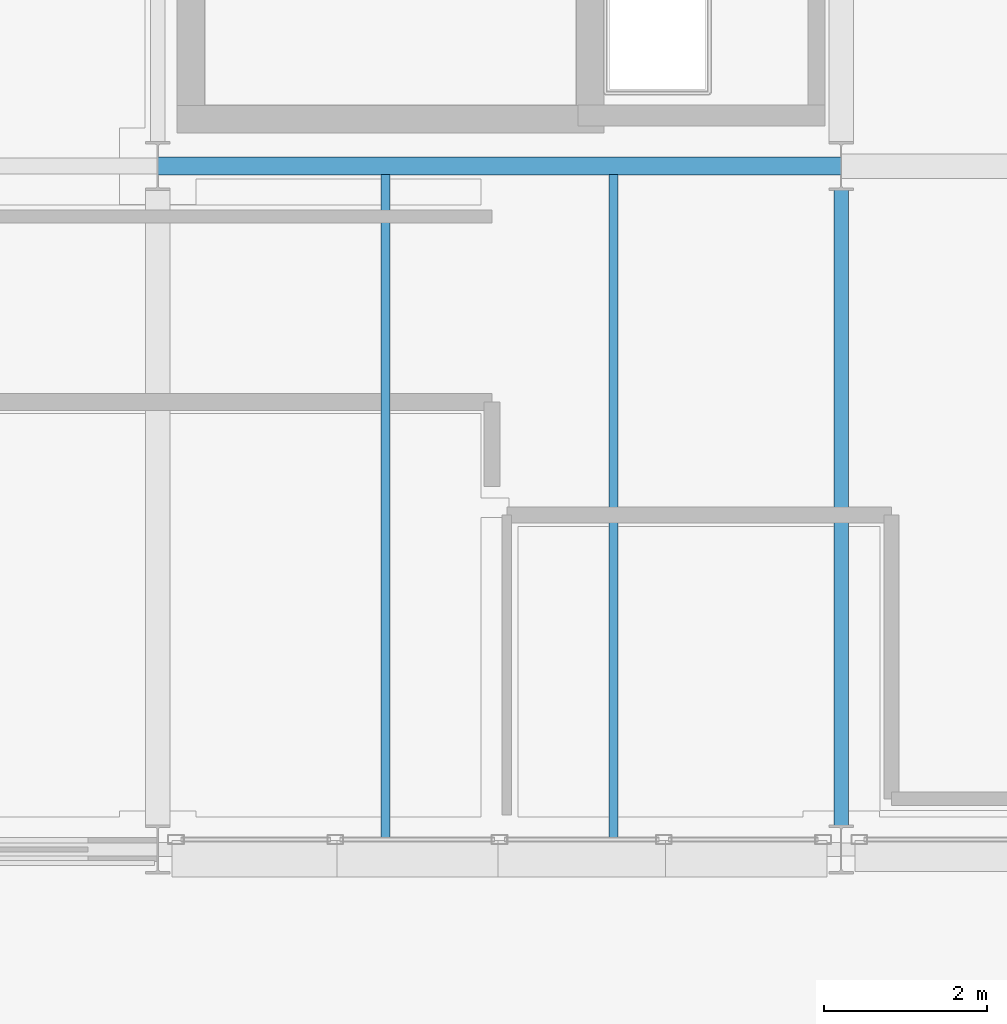
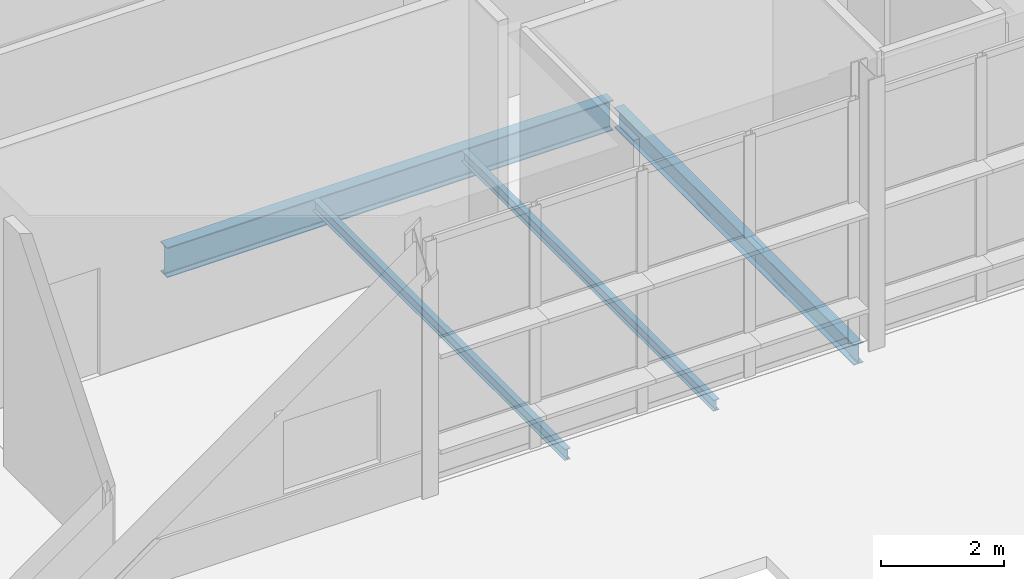
# One storey, part 64 of 124: 4 beams.
"""IFC4 building model written with IfcOpenShell, lengths in metres."""

from ifc_helpers import new_model, si_unit, direction, frame, origin, origin_2d, place, context, subcontext, project, spatial, i_section, extrude, material, material_profile, profile_set, type_object, element, save


model = new_model("IFC4")

# Units and contexts
model_context = context("Model", 3, precision=1e-05, world=origin(), true_north=direction((0.0, 1.0)))
body_context = subcontext(model_context, "Body", "Model", "MODEL_VIEW")
ifc_project = project(units=[si_unit("LENGTHUNIT", "METRE"), si_unit("AREAUNIT", "SQUARE_METRE"), si_unit("VOLUMEUNIT", "CUBIC_METRE"), si_unit("PLANEANGLEUNIT", "RADIAN"), si_unit("MASSUNIT", "GRAM", prefix="KILO")], contexts=[model_context])

# Site, building, storey
site_placement = place(None, origin())
site = spatial("IfcSite", under=ifc_project, at=site_placement, CompositionType="ELEMENT")
building_placement = place(site_placement, origin())
building = spatial("IfcBuilding", under=site, at=building_placement, Name="Mersafa Astral City Hall", CompositionType="ELEMENT")
storey_placement = place(building_placement, origin())
storey = spatial("IfcBuildingStorey", under=building, at=storey_placement, Name="L00", CompositionType="ELEMENT", Elevation=0.0)

# Beams
ifc_material = material(Name="Steel S355", Category="steel")
ifc_material_profile_1 = material_profile(ifc_material, i_section(OverallWidth=0.179931640625, OverallDepth=0.39990234375, WebThickness=0.008544921875, FlangeThickness=0.013427734375, FilletRadius=0.02099609375, at=origin_2d()), Name="IPE 400")
ifc_profile_set_1 = profile_set([ifc_material_profile_1], Name="Steel S355")
beam_type_1 = type_object("IfcBeamType", Name="STR-BM-IPE400", PredefinedType="BEAM", material=ifc_profile_set_1)
beam_1_placement = place(storey_placement, frame((159.60009765625, 101.094970703125, -0.449951171875), z_axis=(0.0, 1.0, 0.0), x_axis=(-1.0, 0.0, 0.0)))
element("IfcBeam", 1, at=beam_1_placement, inside=storey, type_object=beam_type_1, Name="L00 Primary girder Y 19-12", PredefinedType="BEAM", context=body_context, shape_type="SweptSolid", body=[
    extrude(i_section(OverallWidth=0.179931640625, OverallDepth=0.39990234375, WebThickness=0.008544921875, FlangeThickness=0.013427734375, FilletRadius=0.02099609375, at=origin_2d()), origin(), (0.0, 0.0, 1.0), 7.81005859375),
])
ifc_material_profile_2 = material_profile(ifc_material, i_section(OverallWidth=0.219970703125, OverallDepth=0.60009765625, WebThickness=0.011962890625, FlangeThickness=0.01904296875, FilletRadius=0.02392578125, at=origin_2d()), Name="IPE 600")
ifc_profile_set_2 = profile_set([ifc_material_profile_2], Name="Steel S355")
beam_type_2 = type_object("IfcBeamType", Name="STR-BM-IPE600", PredefinedType="BEAM", material=ifc_profile_set_2)
beam_2_placement = place(storey_placement, frame((151.202880859375, 109.199951171875, -0.550048828125), z_axis=(1.0, 0.0, 0.0), x_axis=(0.0, 1.0, 0.0)))
element("IfcBeam", 2, at=beam_2_placement, inside=storey, type_object=beam_type_2, Name="L00 Primary girder X 18-13", PredefinedType="BEAM", context=body_context, shape_type="SweptSolid", body=[
    extrude(i_section(OverallWidth=0.219970703125, OverallDepth=0.60009765625, WebThickness=0.011962890625, FlangeThickness=0.01904296875, FilletRadius=0.02392578125, at=origin_2d()), origin(), (0.0, 0.0, 1.0), 8.39404296875),
])
ifc_material_profile_3 = material_profile(ifc_material, i_section(OverallWidth=0.110107421875, OverallDepth=0.219970703125, WebThickness=0.005859375, FlangeThickness=0.00927734375, FilletRadius=0.011962890625, at=origin_2d()), Name="IPE 220")
ifc_profile_set_3 = profile_set([ifc_material_profile_3], Name="Steel S355")
beam_type_3 = type_object("IfcBeamType", Name="STR-BM-JOIST-IPE220", PredefinedType="JOIST", material=ifc_profile_set_3)
for number, where, z_axis, x_axis, name in (
    (3, (154.0, 100.8798828125, -0.360107421875), (0.0, 1.0, 0.0), (-1.0, 0.0, 0.0), "L00 Composite secondary floor joist 178"),
    (4, (156.800048828125, 100.8798828125, -0.360107421875), (0.0, 1.0, 0.0), (-1.0, 0.0, 0.0), "L00 Composite secondary floor joist 179"),
):
    element("IfcBeam", number, at=place(storey_placement, frame(where, z_axis=z_axis, x_axis=x_axis)), inside=storey, type_object=beam_type_3, Name=name, PredefinedType="JOIST", context=body_context, shape_type="SweptSolid", body=[
        extrude(i_section(OverallWidth=0.110107421875, OverallDepth=0.219970703125, WebThickness=0.005859375, FlangeThickness=0.00927734375, FilletRadius=0.011962890625, at=origin_2d()), origin(), (0.0, 0.0, 1.0), 8.215087890625),
    ])

save(model, "model.ifc")
